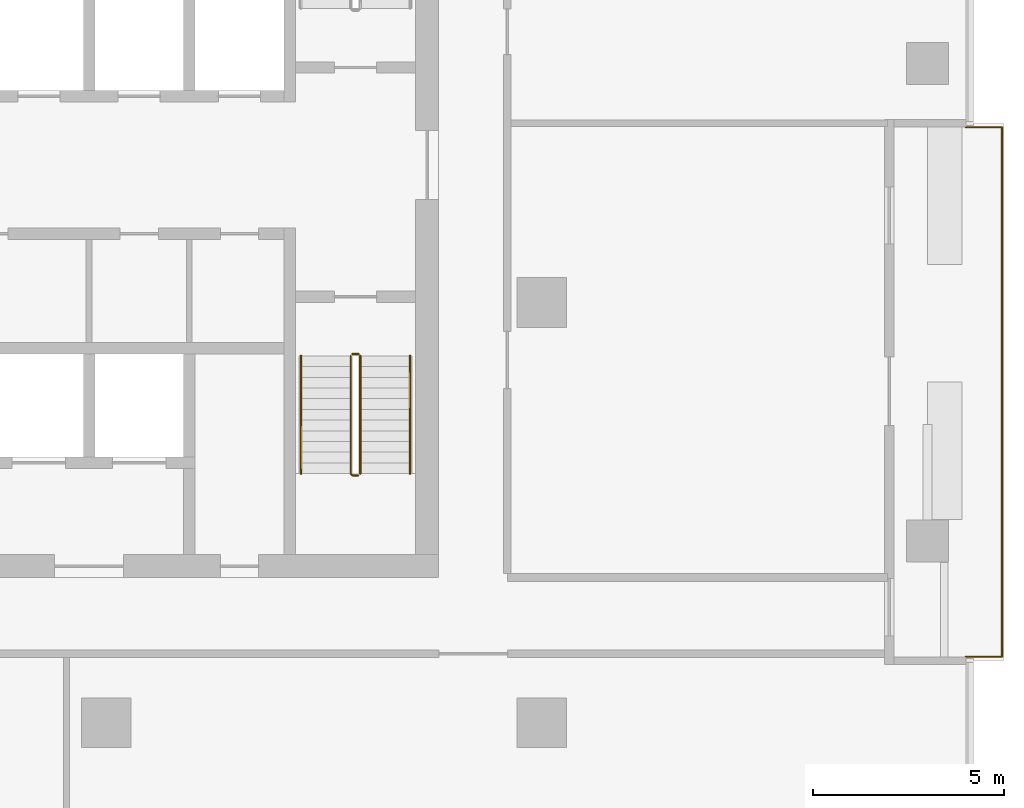
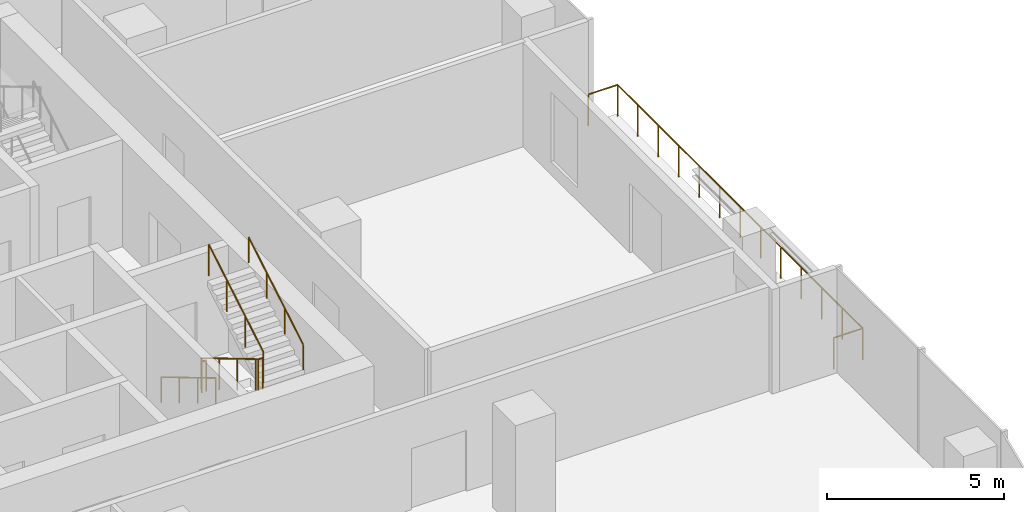
# One storey, part 12 of 14: 6 railings.
"""IFC4 building model written with IfcOpenShell, lengths in metres."""

from ifc_helpers import new_model, si_unit, direction, frame, origin, origin_2d, place, context, subcontext, project, spatial, circle, extrude, material, type_object, element, save


model = new_model("IFC4")

# Units and contexts
model_context = context("Model", 3, precision=1e-05, world=origin(), true_north=direction((0.0, 1.0)))
body_context = subcontext(model_context, "Body", "Model", "MODEL_VIEW")
ifc_project = project(units=[si_unit("LENGTHUNIT", "METRE"), si_unit("AREAUNIT", "SQUARE_METRE"), si_unit("VOLUMEUNIT", "CUBIC_METRE"), si_unit("PLANEANGLEUNIT", "RADIAN"), si_unit("MASSUNIT", "GRAM", prefix="KILO")], contexts=[model_context])

# Site, building, storey
site_placement = place(None, origin())
site = spatial("IfcSite", under=ifc_project, at=site_placement, CompositionType="ELEMENT")
building_placement = place(site_placement, origin())
building = spatial("IfcBuilding", under=site, at=building_placement, Name="Mopane Tessera Tower", CompositionType="ELEMENT")
storey_placement = place(building_placement, frame((0.0, 0.0, 219.0)))
storey = spatial("IfcBuildingStorey", under=building, at=storey_placement, Name="L46", CompositionType="ELEMENT", Elevation=219.0)

# Railings
ifc_material_1 = material(Name="Powder-coated steel balustrade", Category="steel")
railing_type_1 = type_object("IfcRailingType", Name="Escape stair guard 1100 mm", PredefinedType="GUARDRAIL", material=ifc_material_1)
railing_1_placement = place(storey_placement, frame((12.10009765625, -1.39990234375, 0.166748046875)))
element("IfcRailing", 1, at=railing_1_placement, inside=storey, type_object=railing_type_1, Name="L46 ST3 stair guard 1", PredefinedType="GUARDRAIL", context=body_context, shape_type="SweptSolid", body=[
    extrude(circle(Radius=0.02392578125, at=origin_2d()), frame((0.0, 0.0, 1.076171875), z_axis=(0.0, -0.859308565015, 0.511457515432), x_axis=(1.0, 0.0, 0.0)), (0.0, 0.0, 1.0), 3.58447265625),
    extrude(circle(Radius=0.02392578125, at=origin_2d()), frame((0.0, -3.080078125, 2.9091796875), z_axis=(0.705375805398, -0.708833529934, 0.0), x_axis=(0.708833529934, 0.705375805398, 0.0)), (0.0, 0.0, 1.0), 0.070556640625),
    extrude(circle(Radius=0.02392578125, at=origin_2d()), frame((0.0498046875, -3.130126953125, 2.9091796875), z_axis=(1.0, 0.0, 0.0), x_axis=(0.0, 1.0, 0.0)), (0.0, 0.0, 1.0), 0.150146484375),
    extrude(circle(Radius=0.02099609375, at=origin_2d()), origin(), (0.0, 0.0, 1.0), 1.052001953125),
    extrude(circle(Radius=0.02099609375, at=origin_2d()), frame((0.0, -1.026611328125, 0.611083984375)), (0.0, 0.0, 1.0), 1.052001953125),
    extrude(circle(Radius=0.02099609375, at=origin_2d()), frame((0.0, -2.053466796875, 1.22216796875)), (0.0, 0.0, 1.0), 1.052001953125),
    extrude(circle(Radius=0.02099609375, at=origin_2d()), frame((0.0, -3.080078125, 1.833251953125)), (0.0, 0.0, 1.0), 1.052001953125),
    extrude(circle(Radius=0.02099609375, at=origin_2d()), frame((0.0498046875, -3.130126953125, 1.833251953125)), (0.0, 0.0, 1.0), 1.052001953125),
    extrude(circle(Radius=0.02099609375, at=origin_2d()), frame((0.199951171875, -3.130126953125, 1.833251953125)), (0.0, 0.0, 1.0), 1.052001953125),
])
railing_2_placement = place(storey_placement, frame((12.35009765625, -4.47998046875, 2.166748046875)))
element("IfcRailing", 2, at=railing_2_placement, inside=storey, type_object=railing_type_1, Name="L46 ST3 stair guard 2", PredefinedType="GUARDRAIL", context=body_context, shape_type="SweptSolid", body=[
    extrude(circle(Radius=0.02392578125, at=origin_2d()), frame((0.0, 0.0, 1.076171875), z_axis=(0.0, 0.859308565015, 0.511457515432), x_axis=(-1.0, 0.0, 0.0)), (0.0, 0.0, 1.0), 3.58447265625),
    extrude(circle(Radius=0.02099609375, at=origin_2d()), origin(), (0.0, 0.0, 1.0), 1.052001953125),
    extrude(circle(Radius=0.02099609375, at=origin_2d()), frame((0.0, 1.026611328125, 0.611083984375)), (0.0, 0.0, 1.0), 1.052001953125),
    extrude(circle(Radius=0.02099609375, at=origin_2d()), frame((0.0, 2.053466796875, 1.22216796875)), (0.0, 0.0, 1.0), 1.052001953125),
    extrude(circle(Radius=0.02099609375, at=origin_2d()), frame((0.0, 3.080078125, 1.833251953125)), (0.0, 0.0, 1.0), 1.052001953125),
])
railing_3_placement = place(storey_placement, frame((12.14990234375, -1.35009765625, 0.0)))
element("IfcRailing", 3, at=railing_3_placement, inside=storey, type_object=railing_type_1, Name="L46 ST3 stair guard 3", PredefinedType="GUARDRAIL", context=body_context, shape_type="SweptSolid", body=[
    extrude(circle(Radius=0.02392578125, at=origin_2d()), frame((0.0, 0.0, 1.076171875), z_axis=(1.0, 0.0, 0.0), x_axis=(0.0, 1.0, 0.0)), (0.0, 0.0, 1.0), 0.150146484375),
    extrude(circle(Radius=0.02099609375, at=origin_2d()), origin(), (0.0, 0.0, 1.0), 1.052001953125),
    extrude(circle(Radius=0.02099609375, at=origin_2d()), frame((0.150146484375, 0.0, 0.0)), (0.0, 0.0, 1.0), 1.052001953125),
])
ifc_material_2 = material(Name="Powder-coated steel balustrade", Category="steel")
railing_type_2 = type_object("IfcRailingType", Name="Escape stair handrail 900 mm", PredefinedType="HANDRAIL", material=ifc_material_2)
railing_4_placement = place(storey_placement, frame((10.800048828125, -1.39990234375, 0.166748046875)))
element("IfcRailing", 4, at=railing_4_placement, inside=storey, type_object=railing_type_2, Name="L46 ST3 stair handrail 1", PredefinedType="HANDRAIL", context=body_context, shape_type="SweptSolid", body=[
    extrude(circle(Radius=0.02392578125, at=origin_2d()), frame((0.0, 0.0, 0.8759765625), z_axis=(0.0, -0.859308565015, 0.511457515432), x_axis=(1.0, 0.0, 0.0)), (0.0, 0.0, 1.0), 3.58447265625),
    extrude(circle(Radius=0.02099609375, at=origin_2d()), origin(), (0.0, 0.0, 1.0), 0.851806640625),
    extrude(circle(Radius=0.02099609375, at=origin_2d()), frame((0.0, -1.026611328125, 0.611083984375)), (0.0, 0.0, 1.0), 0.851806640625),
    extrude(circle(Radius=0.02099609375, at=origin_2d()), frame((0.0, -2.053466796875, 1.22216796875)), (0.0, 0.0, 1.0), 0.851806640625),
    extrude(circle(Radius=0.02099609375, at=origin_2d()), frame((0.0, -3.080078125, 1.833251953125)), (0.0, 0.0, 1.0), 0.851806640625),
])
railing_5_placement = place(storey_placement, frame((13.64990234375, -4.47998046875, 2.166748046875)))
element("IfcRailing", 5, at=railing_5_placement, inside=storey, type_object=railing_type_2, Name="L46 ST3 stair handrail 2", PredefinedType="HANDRAIL", context=body_context, shape_type="SweptSolid", body=[
    extrude(circle(Radius=0.02392578125, at=origin_2d()), frame((0.0, 0.0, 0.8759765625), z_axis=(0.0, 0.859308565015, 0.511457515432), x_axis=(-1.0, 0.0, 0.0)), (0.0, 0.0, 1.0), 3.58447265625),
    extrude(circle(Radius=0.02099609375, at=origin_2d()), origin(), (0.0, 0.0, 1.0), 0.851806640625),
    extrude(circle(Radius=0.02099609375, at=origin_2d()), frame((0.0, 1.026611328125, 0.611083984375)), (0.0, 0.0, 1.0), 0.851806640625),
    extrude(circle(Radius=0.02099609375, at=origin_2d()), frame((0.0, 2.053466796875, 1.22216796875)), (0.0, 0.0, 1.0), 0.851806640625),
    extrude(circle(Radius=0.02099609375, at=origin_2d()), frame((0.0, 3.080078125, 1.833251953125)), (0.0, 0.0, 1.0), 0.851806640625),
])
ifc_material_3 = material(Name="Stainless steel S316", Category="steel")
railing_type_3 = type_object("IfcRailingType", Name="Terrace guard 1100", PredefinedType="GUARDRAIL", material=ifc_material_3)
railing_6_placement = place(storey_placement, frame((28.199951171875, -9.27490234375, 0.0)))
element("IfcRailing", 6, at=railing_6_placement, inside=storey, type_object=railing_type_3, Name="e:nw:L46:N2:guard", PredefinedType="GUARDRAIL", context=body_context, shape_type="SweptSolid", body=[
    extrude(circle(Radius=0.02392578125, at=origin_2d()), frame((0.0, 0.0, 1.076171875), z_axis=(1.0, 0.0, 0.0), x_axis=(0.0, 1.0, 0.0)), (0.0, 0.0, 1.0), 0.949951171875),
    extrude(circle(Radius=0.02392578125, at=origin_2d()), frame((0.949951171875, 0.0, 1.076171875), z_axis=(0.0, 1.0, 0.0), x_axis=(-1.0, 0.0, 0.0)), (0.0, 0.0, 1.0), 13.8623046875),
    extrude(circle(Radius=0.02392578125, at=origin_2d()), frame((0.949951171875, 13.8623046875, 1.076171875), z_axis=(-1.0, 0.0, 0.0), x_axis=(0.0, -1.0, 0.0)), (0.0, 0.0, 1.0), 0.949951171875),
    extrude(circle(Radius=0.02099609375, at=origin_2d()), origin(), (0.0, 0.0, 1.0), 1.052001953125),
    extrude(circle(Radius=0.02099609375, at=origin_2d()), frame((0.949951171875, 0.0, 0.0)), (0.0, 0.0, 1.0), 1.052001953125),
    extrude(circle(Radius=0.02099609375, at=origin_2d()), frame((0.949951171875, 1.1552734375, 0.0)), (0.0, 0.0, 1.0), 1.052001953125),
    extrude(circle(Radius=0.02099609375, at=origin_2d()), frame((0.949951171875, 2.310302734375, 0.0)), (0.0, 0.0, 1.0), 1.052001953125),
    extrude(circle(Radius=0.02099609375, at=origin_2d()), frame((0.949951171875, 3.465576171875, 0.0)), (0.0, 0.0, 1.0), 1.052001953125),
    extrude(circle(Radius=0.02099609375, at=origin_2d()), frame((0.949951171875, 4.620849609375, 0.0)), (0.0, 0.0, 1.0), 1.052001953125),
    extrude(circle(Radius=0.02099609375, at=origin_2d()), frame((0.949951171875, 5.77587890625, 0.0)), (0.0, 0.0, 1.0), 1.052001953125),
    extrude(circle(Radius=0.02099609375, at=origin_2d()), frame((0.949951171875, 6.93115234375, 0.0)), (0.0, 0.0, 1.0), 1.052001953125),
    extrude(circle(Radius=0.02099609375, at=origin_2d()), frame((0.949951171875, 8.08642578125, 0.0)), (0.0, 0.0, 1.0), 1.052001953125),
    extrude(circle(Radius=0.02099609375, at=origin_2d()), frame((0.949951171875, 9.241455078125, 0.0)), (0.0, 0.0, 1.0), 1.052001953125),
    extrude(circle(Radius=0.02099609375, at=origin_2d()), frame((0.949951171875, 10.396728515625, 0.0)), (0.0, 0.0, 1.0), 1.052001953125),
    extrude(circle(Radius=0.02099609375, at=origin_2d()), frame((0.949951171875, 11.552001953125, 0.0)), (0.0, 0.0, 1.0), 1.052001953125),
    extrude(circle(Radius=0.02099609375, at=origin_2d()), frame((0.949951171875, 12.70703125, 0.0)), (0.0, 0.0, 1.0), 1.052001953125),
    extrude(circle(Radius=0.02099609375, at=origin_2d()), frame((0.949951171875, 13.8623046875, 0.0)), (0.0, 0.0, 1.0), 1.052001953125),
    extrude(circle(Radius=0.02099609375, at=origin_2d()), frame((0.0, 13.8623046875, 0.0)), (0.0, 0.0, 1.0), 1.052001953125),
])

save(model, "model.ifc")
